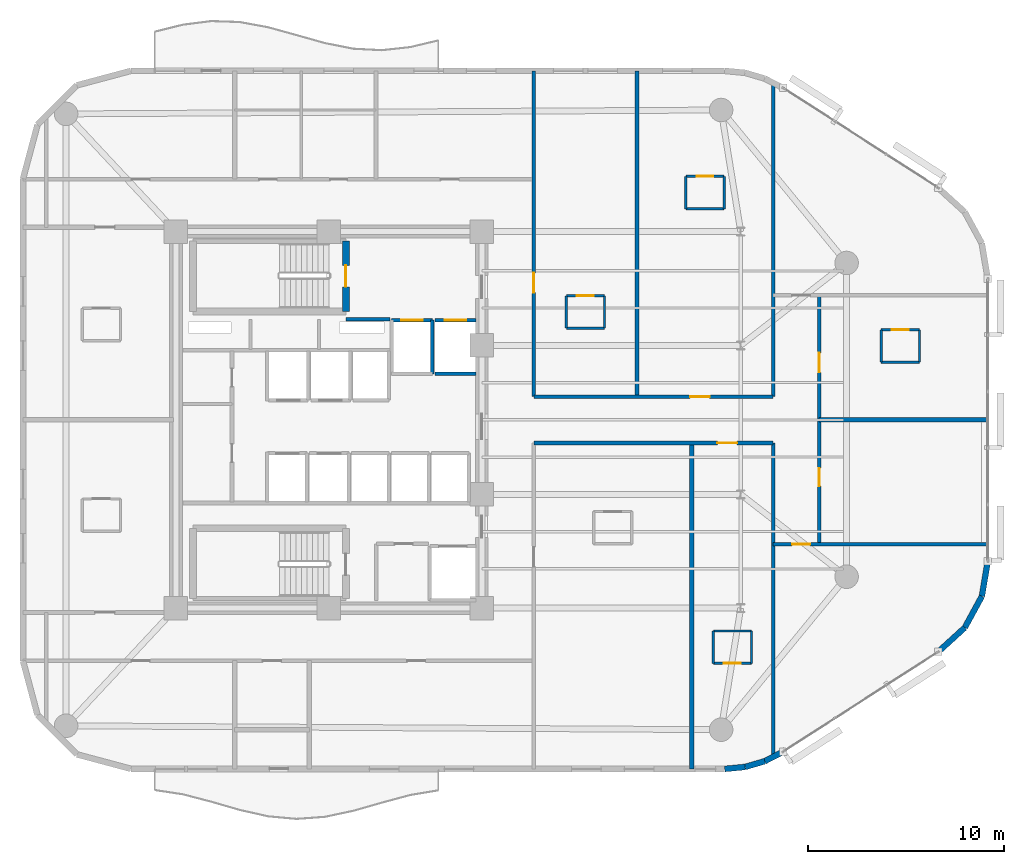
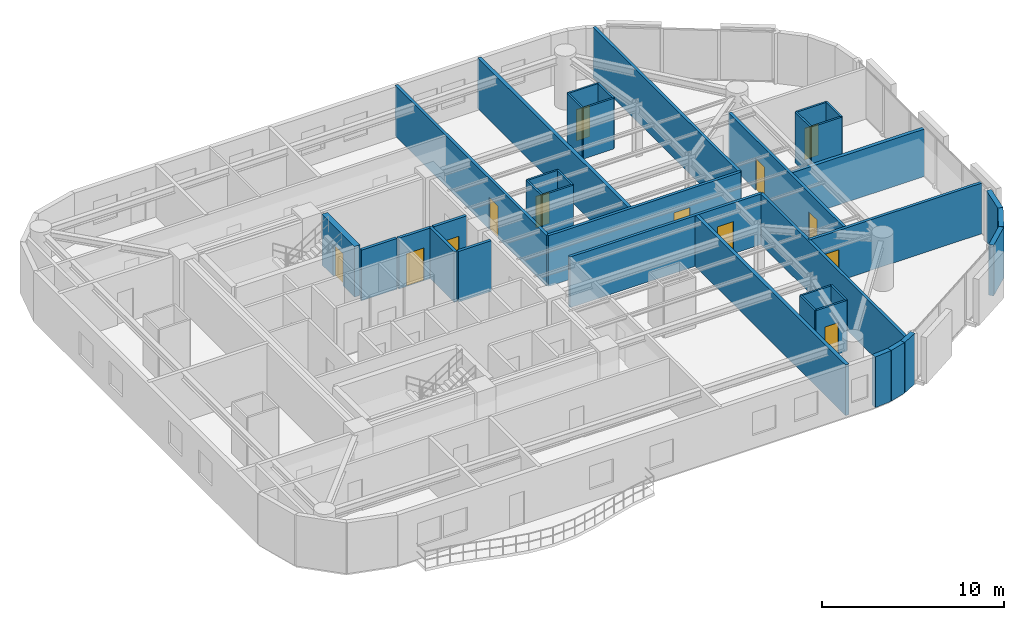
# One storey, part 12 of 15: 38 walls, 13 doors, 13 openings.
"""IFC4 building model written with IfcOpenShell, lengths in metres."""

from ifc_helpers import new_model, si_unit, direction, frame, frame_2d, origin, place, context, subcontext, project, spatial, rectangle, extrude, material, layer, layer_set, type_object, element, fill, save


model = new_model("IFC4")

# Units and contexts
model_context = context("Model", 3, precision=1e-05, world=origin(), true_north=direction((0.0, 1.0)))
body_context = subcontext(model_context, "Body", "Model", "MODEL_VIEW")
ifc_project = project(units=[si_unit("LENGTHUNIT", "METRE"), si_unit("AREAUNIT", "SQUARE_METRE"), si_unit("VOLUMEUNIT", "CUBIC_METRE"), si_unit("PLANEANGLEUNIT", "RADIAN"), si_unit("MASSUNIT", "GRAM", prefix="KILO")], contexts=[model_context])

# Site, building, storey
site_placement = place(None, origin())
site = spatial("IfcSite", under=ifc_project, at=site_placement, CompositionType="ELEMENT")
building_placement = place(site_placement, origin())
building = spatial("IfcBuilding", under=site, at=building_placement, Name="An Khanh Terracotta Commons", CompositionType="ELEMENT")
storey_placement = place(building_placement, frame((0.0, 0.0, 143.800048828125)))
storey = spatial("IfcBuildingStorey", under=building, at=storey_placement, Name="L37", CompositionType="ELEMENT", Elevation=143.800048828125)

# Wall
ifc_material_1 = material(Name="Fire-Rated Gypsum Board on Steel Stud", Category="steel")
ifc_layer_1 = layer(ifc_material_1, 0.179931640625, Name="Fire-Rated Gypsum Board on Steel Stud")
ifc_layer_set_1 = layer_set([ifc_layer_1], Name="Fire-Rated Gypsum Board on Steel Stud")
wall_type_1 = type_object("IfcWallType", Name="WALL-CORR-180", PredefinedType="PARTITIONING", material=ifc_layer_set_1)
wall_1_placement = place(storey_placement, frame((30.27001953125, 29.1201171875, 0.0), z_axis=(0.0, 0.0, 1.0), x_axis=(1.0, 0.0, 0.0)))
element("IfcWall", 1, at=wall_1_placement, inside=storey, type_object=wall_type_1, Name="L37 Core Wall FFLW-L37-S", PredefinedType="PARTITIONING", context=body_context, shape_type="SweptSolid", body=[
    extrude(rectangle(XDim=2.239990234375, YDim=0.179931640625, at=frame_2d((1.1201171875, 0.0))), origin(), (0.0, 0.0, 1.0), 3.39990234375),
])

# Wall, opening, door
wall_2_placement = place(storey_placement, frame((32.60009765625, 29.080078125, 0.0), z_axis=(0.0, 0.0, 1.0), x_axis=(1.0, 0.0, 0.0)))
wall_2 = element("IfcWall", 2, at=wall_2_placement, inside=storey, type_object=wall_type_1, Name="L37 Core Wall LSH-L37-FFL-01-N", PredefinedType="PARTITIONING", context=body_context, shape_type="SweptSolid", body=[
    extrude(rectangle(XDim=2.079833984375, YDim=0.179931640625, at=frame_2d((1.0400390625, 0.0))), origin(), (0.0, 0.0, 1.0), 3.39990234375),
])
opening_1_placement = place(wall_2_placement, frame((0.489990234375, 0.0, 0.0)))
opening_1 = element("IfcOpeningElement", 3, at=opening_1_placement, cuts=wall_2, Name="Opening LD-FFL-01-L37", PredefinedType="OPENING", context=body_context, shape_type="SweptSolid", body=[
    extrude(rectangle(XDim=1.10009765625, YDim=2.199951171875, at=frame_2d((0.550048828125, 1.10009765625))), frame((0.0, 0.099853515625, 0.0), z_axis=(0.0, -1.0, 0.0), x_axis=(1.0, 0.0, 0.0)), (0.0, 0.0, 1.0), 0.199951171875),
])
ifc_material_2 = material(Name="Brushed Stainless Steel Fire Landing Door", Category="steel")
door_type_1 = type_object("IfcDoorType", Name="DOOR-LD-FFL-1100", OperationType="NOTDEFINED", PredefinedType="DOOR", material=ifc_material_2)
door_1_placement = place(opening_1_placement, origin())
door_1 = element("IfcDoor", 4, at=door_1_placement, inside=storey, type_object=door_type_1, Name="L37 Lift FFL-01 Sliding Landing Door", OperationType="DOUBLE_DOOR_SLIDING", OverallHeight=2.199951171875, OverallWidth=1.10009765625, PredefinedType="DOOR", context=body_context, shape_type="SweptSolid", body=[
    extrude(rectangle(XDim=1.10009765625, YDim=2.199951171875, at=frame_2d((0.550048828125, 1.10009765625))), frame((0.0, 0.02490234375, 0.0), z_axis=(0.0, -1.0, 0.0), x_axis=(1.0, 0.0, 0.0)), (0.0, 0.0, 1.0), 0.050048828125),
])
fill(opening_1, door_1)

# Wall
wall_3_placement = place(storey_placement, frame((34.679931640625, 26.35009765625, 0.0), z_axis=(0.0, 0.0, 1.0), x_axis=(0.0, 1.0, 0.0)))
element("IfcWall", 5, at=wall_3_placement, inside=storey, type_object=wall_type_1, Name="L37 Core Wall LSH-L37-FFL-01-E", PredefinedType="PARTITIONING", context=body_context, shape_type="SweptSolid", body=[
    extrude(rectangle(XDim=2.72998046875, YDim=0.179931640625, at=frame_2d((1.364990234375, 0.0))), origin(), (0.0, 0.0, 1.0), 3.39990234375),
])

# Wall, opening, door
wall_4_placement = place(storey_placement, frame((34.820068359375, 29.080078125, 0.0), z_axis=(0.0, 0.0, 1.0), x_axis=(1.0, 0.0, 0.0)))
wall_4 = element("IfcWall", 6, at=wall_4_placement, inside=storey, type_object=wall_type_1, Name="L37 Core Wall LSH-L37-FFL-02-N", PredefinedType="PARTITIONING", context=body_context, shape_type="SweptSolid", body=[
    extrude(rectangle(XDim=2.079833984375, YDim=0.179931640625, at=frame_2d((1.0400390625, 0.0))), origin(), (0.0, 0.0, 1.0), 3.39990234375),
])
opening_2_placement = place(wall_4_placement, frame((0.489990234375, 0.0, 0.0)))
opening_2 = element("IfcOpeningElement", 7, at=opening_2_placement, cuts=wall_4, Name="Opening LD-FFL-02-L37", PredefinedType="OPENING", context=body_context, shape_type="SweptSolid", body=[
    extrude(rectangle(XDim=1.10009765625, YDim=2.199951171875, at=frame_2d((0.550048828125, 1.10009765625))), frame((0.0, 0.099853515625, 0.0), z_axis=(0.0, -1.0, 0.0), x_axis=(1.0, 0.0, 0.0)), (0.0, 0.0, 1.0), 0.199951171875),
])
door_2_placement = place(opening_2_placement, origin())
door_2 = element("IfcDoor", 8, at=door_2_placement, inside=storey, type_object=door_type_1, Name="L37 Lift FFL-02 Sliding Landing Door", OperationType="DOUBLE_DOOR_SLIDING", OverallHeight=2.199951171875, OverallWidth=1.10009765625, PredefinedType="DOOR", context=body_context, shape_type="SweptSolid", body=[
    extrude(rectangle(XDim=1.10009765625, YDim=2.199951171875, at=frame_2d((0.550048828125, 1.10009765625))), frame((0.0, 0.02490234375, 0.0), z_axis=(0.0, -1.0, 0.0), x_axis=(1.0, 0.0, 0.0)), (0.0, 0.0, 1.0), 0.050048828125),
])
fill(opening_2, door_2)

# Wall
wall_5_placement = place(storey_placement, frame((36.89990234375, 26.35009765625, 0.0), z_axis=(0.0, 0.0, 1.0), x_axis=(-1.0, 0.0, 0.0)))
element("IfcWall", 9, at=wall_5_placement, inside=storey, type_object=wall_type_1, Name="L37 Core Wall LSH-L37-FFL-02-S", PredefinedType="PARTITIONING", context=body_context, shape_type="SweptSolid", body=[
    extrude(rectangle(XDim=2.079833984375, YDim=0.179931640625, at=frame_2d((1.0400390625, 0.0))), origin(), (0.0, 0.0, 1.0), 3.39990234375),
])

# Wall, opening, door
wall_6_placement = place(storey_placement, frame((52.050048828125, 17.64990234375, 0.0), z_axis=(0.0, 0.0, 1.0), x_axis=(1.0, 0.0, 0.0)))
wall_6 = element("IfcWall", 10, at=wall_6_placement, inside=storey, type_object=wall_type_1, Name="L37 Interior Partition IW-L37-E004", PredefinedType="PARTITIONING", context=body_context, shape_type="SweptSolid", body=[
    extrude(rectangle(XDim=10.949951171875, YDim=0.179931640625, at=frame_2d((5.47509765625, 0.0))), origin(), (0.0, 0.0, 1.0), 3.39990234375),
])
opening_3_placement = place(wall_6_placement, frame((0.97509765625, 0.0, 0.0)))
opening_3 = element("IfcOpeningElement", 11, at=opening_3_placement, cuts=wall_6, Name="Opening D-RM", PredefinedType="OPENING", context=body_context, shape_type="SweptSolid", body=[
    extrude(rectangle(XDim=0.919921875, YDim=2.10009765625, at=frame_2d((0.4599609375, 1.050048828125))), frame((0.0, 0.099853515625, 0.0), z_axis=(0.0, -1.0, 0.0), x_axis=(1.0, 0.0, 0.0)), (0.0, 0.0, 1.0), 0.199951171875),
])
ifc_material_3 = material(Name="Engineered Hardwood Timber Leaf", Category="wood")
door_type_2 = type_object("IfcDoorType", Name="DOOR-INT-920", OperationType="NOTDEFINED", PredefinedType="DOOR", material=ifc_material_3)
door_3_placement = place(opening_3_placement, origin())
door_3 = element("IfcDoor", 12, at=door_3_placement, inside=storey, type_object=door_type_2, Name="L37 CAPS Quiet Focus Office Door", OperationType="SINGLE_SWING_RIGHT", OverallHeight=2.10009765625, OverallWidth=0.919921875, PredefinedType="DOOR", context=body_context, shape_type="SweptSolid", body=[
    extrude(rectangle(XDim=0.919921875, YDim=2.10009765625, at=frame_2d((0.4599609375, 1.050048828125))), frame((0.0, 0.02490234375, 0.0), z_axis=(0.0, -1.0, 0.0), x_axis=(1.0, 0.0, 0.0)), (0.0, 0.0, 1.0), 0.050048828125),
])
fill(opening_3, door_3)

wall_7_placement = place(storey_placement, frame((39.85009765625, 22.820068359375, 0.0), z_axis=(0.0, 0.0, 1.0), x_axis=(1.0, 0.0, 0.0)))
wall_7 = element("IfcWall", 13, at=wall_7_placement, inside=storey, type_object=wall_type_1, Name="L37 Interior Partition IW-L37-E005", PredefinedType="PARTITIONING", context=body_context, shape_type="SweptSolid", body=[
    extrude(rectangle(XDim=12.199951171875, YDim=0.179931640625, at=frame_2d((6.10009765625, 0.0))), origin(), (0.0, 0.0, 1.0), 3.39990234375),
])
opening_4_placement = place(wall_7_placement, frame((9.365966796875, 0.0, 0.0)))
opening_4 = element("IfcOpeningElement", 14, at=opening_4_placement, cuts=wall_7, Name="Opening D-UN", PredefinedType="OPENING", context=body_context, shape_type="SweptSolid", body=[
    extrude(rectangle(XDim=1.0, YDim=2.14990234375, at=frame_2d((0.5, 1.074951171875))), frame((0.0, 0.099853515625, 0.0), z_axis=(0.0, -1.0, 0.0), x_axis=(1.0, 0.0, 0.0)), (0.0, 0.0, 1.0), 0.199951171875),
])
ifc_material_4 = material(Name="Solid-Core Hardwood Acoustic Fire Door", Category="wood")
door_type_3 = type_object("IfcDoorType", Name="DOOR-UNIT-1000", OperationType="NOTDEFINED", PredefinedType="DOOR", material=ifc_material_4)
door_4_placement = place(opening_4_placement, origin())
door_4 = element("IfcDoor", 15, at=door_4_placement, inside=storey, type_object=door_type_3, Name="L37 SB2 Kitchenette and Studio Apartment Door", OperationType="SINGLE_SWING_RIGHT", OverallHeight=2.14990234375, OverallWidth=1.0, PredefinedType="DOOR", context=body_context, shape_type="SweptSolid", body=[
    extrude(rectangle(XDim=1.0, YDim=2.14990234375, at=frame_2d((0.5, 1.074951171875))), frame((0.0, 0.02490234375, 0.0), z_axis=(0.0, -1.0, 0.0), x_axis=(1.0, 0.0, 0.0)), (0.0, 0.0, 1.0), 0.050048828125),
])
fill(opening_4, door_4)

wall_8_placement = place(storey_placement, frame((39.85009765625, 25.179931640625, 0.0), z_axis=(0.0, 0.0, 1.0), x_axis=(1.0, 0.0, 0.0)))
wall_8 = element("IfcWall", 16, at=wall_8_placement, inside=storey, type_object=wall_type_1, Name="L37 Interior Partition IW-L37-E008", PredefinedType="PARTITIONING", context=body_context, shape_type="SweptSolid", body=[
    extrude(rectangle(XDim=12.199951171875, YDim=0.179931640625, at=frame_2d((6.10009765625, 0.0))), origin(), (0.0, 0.0, 1.0), 3.39990234375),
])
opening_5_placement = place(wall_8_placement, frame((7.969970703125, 0.0, 0.0)))
opening_5 = element("IfcOpeningElement", 17, at=opening_5_placement, cuts=wall_8, Name="Opening D-UN", PredefinedType="OPENING", context=body_context, shape_type="SweptSolid", body=[
    extrude(rectangle(XDim=1.0, YDim=2.14990234375, at=frame_2d((0.5, 1.074951171875))), frame((0.0, 0.099853515625, 0.0), z_axis=(0.0, -1.0, 0.0), x_axis=(1.0, 0.0, 0.0)), (0.0, 0.0, 1.0), 0.199951171875),
])
door_5_placement = place(opening_5_placement, origin())
door_5 = element("IfcDoor", 18, at=door_5_placement, inside=storey, type_object=door_type_3, Name="L37 NB2 Kitchenette and Studio Apartment Door", OperationType="SINGLE_SWING_RIGHT", OverallHeight=2.14990234375, OverallWidth=1.0, PredefinedType="DOOR", context=body_context, shape_type="SweptSolid", body=[
    extrude(rectangle(XDim=1.0, YDim=2.14990234375, at=frame_2d((0.5, 1.074951171875))), frame((0.0, 0.02490234375, 0.0), z_axis=(0.0, -1.0, 0.0), x_axis=(1.0, 0.0, 0.0)), (0.0, 0.0, 1.0), 0.050048828125),
])
fill(opening_5, door_5)

wall_9_placement = place(storey_placement, frame((39.85009765625, 25.179931640625, 0.0), z_axis=(0.0, 0.0, 1.0), x_axis=(0.0, 1.0, 0.0)))
wall_9 = element("IfcWall", 19, at=wall_9_placement, inside=storey, type_object=wall_type_1, Name="L37 Interior Partition IW-L37-E021", PredefinedType="PARTITIONING", context=body_context, shape_type="SweptSolid", body=[
    extrude(rectangle(XDim=16.6201171875, YDim=0.179931640625, at=frame_2d((8.31005859375, 0.0))), origin(), (0.0, 0.0, 1.0), 3.39990234375),
])
opening_6_placement = place(wall_9_placement, frame((5.31005859375, 0.0, 0.0)))
opening_6 = element("IfcOpeningElement", 20, at=opening_6_placement, cuts=wall_9, Name="Opening D-UN", PredefinedType="OPENING", context=body_context, shape_type="SweptSolid", body=[
    extrude(rectangle(XDim=1.0, YDim=2.14990234375, at=frame_2d((0.5, 1.074951171875))), frame((0.0, 0.099853515625, 0.0), z_axis=(0.0, -1.0, 0.0), x_axis=(1.0, 0.0, 0.0)), (0.0, 0.0, 1.0), 0.199951171875),
])
door_6_placement = place(opening_6_placement, origin())
door_6 = element("IfcDoor", 21, at=door_6_placement, inside=storey, type_object=door_type_3, Name="L37 NB1 Kitchenette and Studio Apartment Door", OperationType="SINGLE_SWING_LEFT", OverallHeight=2.14990234375, OverallWidth=1.0, PredefinedType="DOOR", context=body_context, shape_type="SweptSolid", body=[
    extrude(rectangle(XDim=1.0, YDim=2.14990234375, at=frame_2d((0.5, 1.074951171875))), frame((0.0, 0.02490234375, 0.0), z_axis=(0.0, -1.0, 0.0), x_axis=(1.0, 0.0, 0.0)), (0.0, 0.0, 1.0), 0.050048828125),
])
fill(opening_6, door_6)

# Walls
for number, where, z_axis, x_axis, name in (
    (22, (52.050048828125, 6.81201171875, 0.0), (0.0, 0.0, 1.0), (0.0, 1.0, 0.0), "L37 Interior Partition IW-L37-E024"),
    (23, (52.050048828125, 25.179931640625, 0.0), (0.0, 0.0, 1.0), (0.0, 1.0, 0.0), "L37 Interior Partition IW-L37-E025"),
):
    element("IfcWall", number, at=place(storey_placement, frame(where, z_axis=z_axis, x_axis=x_axis)), inside=storey, type_object=wall_type_1, Name=name, PredefinedType="PARTITIONING", context=body_context, shape_type="SweptSolid", body=[
        extrude(rectangle(XDim=16.008056640625, YDim=0.179931640625, at=frame_2d((8.00390625, 0.0))), origin(), (0.0, 0.0, 1.0), 3.39990234375),
    ])

# Wall, openings, doors
wall_10_placement = place(storey_placement, frame((54.39990234375, 17.64990234375, 0.0), z_axis=(0.0, 0.0, 1.0), x_axis=(0.0, 1.0, 0.0)))
wall_10 = element("IfcWall", 24, at=wall_10_placement, inside=storey, type_object=wall_type_1, Name="L37 Interior Partition IW-L37-E026", PredefinedType="PARTITIONING", context=body_context, shape_type="SweptSolid", body=[
    extrude(rectangle(XDim=12.7001953125, YDim=0.179931640625, at=frame_2d((6.35009765625, 0.0))), origin(), (0.0, 0.0, 1.0), 3.39990234375),
])
opening_7_placement = place(wall_10_placement, frame((8.764892578125, 0.0, 0.0)))
opening_7 = element("IfcOpeningElement", 25, at=opening_7_placement, cuts=wall_10, Name="Opening D-UN", PredefinedType="OPENING", context=body_context, shape_type="SweptSolid", body=[
    extrude(rectangle(XDim=1.0, YDim=2.14990234375, at=frame_2d((0.5, 1.074951171875))), frame((0.0, 0.099853515625, 0.0), z_axis=(0.0, -1.0, 0.0), x_axis=(1.0, 0.0, 0.0)), (0.0, 0.0, 1.0), 0.199951171875),
])
opening_8_placement = place(wall_10_placement, frame((2.97509765625, 0.0, 0.0)))
opening_8 = element("IfcOpeningElement", 26, at=opening_8_placement, cuts=wall_10, Name="Opening D-RM", PredefinedType="OPENING", context=body_context, shape_type="SweptSolid", body=[
    extrude(rectangle(XDim=0.919921875, YDim=2.10009765625, at=frame_2d((0.4599609375, 1.050048828125))), frame((0.0, 0.099853515625, 0.0), z_axis=(0.0, -1.0, 0.0), x_axis=(1.0, 0.0, 0.0)), (0.0, 0.0, 1.0), 0.199951171875),
])
door_7_placement = place(opening_8_placement, origin())
door_7 = element("IfcDoor", 27, at=door_7_placement, inside=storey, type_object=door_type_2, Name="L37 EF2 Riverfront Study Lounge Door", OperationType="SINGLE_SWING_RIGHT", OverallHeight=2.10009765625, OverallWidth=0.919921875, PredefinedType="DOOR", context=body_context, shape_type="SweptSolid", body=[
    extrude(rectangle(XDim=0.919921875, YDim=2.10009765625, at=frame_2d((0.4599609375, 1.050048828125))), frame((0.0, 0.02490234375, 0.0), z_axis=(0.0, -1.0, 0.0), x_axis=(1.0, 0.0, 0.0)), (0.0, 0.0, 1.0), 0.050048828125),
])
fill(opening_8, door_7)
door_8_placement = place(opening_7_placement, origin())
door_8 = element("IfcDoor", 28, at=door_8_placement, inside=storey, type_object=door_type_3, Name="L37 EF1 Kitchenette and Studio Apartment Door", OperationType="SINGLE_SWING_LEFT", OverallHeight=2.14990234375, OverallWidth=1.0, PredefinedType="DOOR", context=body_context, shape_type="SweptSolid", body=[
    extrude(rectangle(XDim=1.0, YDim=2.14990234375, at=frame_2d((0.5, 1.074951171875))), frame((0.0, 0.02490234375, 0.0), z_axis=(0.0, -1.0, 0.0), x_axis=(1.0, 0.0, 0.0)), (0.0, 0.0, 1.0), 0.050048828125),
])
fill(opening_7, door_8)

# Walls
ifc_material_5 = material(Name="Precast concrete C40/50", Category="concrete")
ifc_layer_2 = layer(ifc_material_5, 0.300048828125, Name="Precast concrete C40/50")
ifc_layer_set_2 = layer_set([ifc_layer_2], Name="Precast concrete C40/50")
wall_type_2 = type_object("IfcWallType", Name="WALL-EXT-300", PredefinedType="SOLIDWALL", material=ifc_layer_set_2)
wall_11_placement = place(storey_placement, frame((49.58203125, 6.199951171875, 0.0), z_axis=(0.0, 0.0, 1.0), x_axis=(0.995426089968, 0.095534807324, 0.0)))
element("IfcWall", 29, at=wall_11_placement, inside=storey, type_object=wall_type_2, Name="L37 Insulated Terracotta Exterior Wall 5", PredefinedType="SOLIDWALL", context=body_context, shape_type="SweptSolid", body=[
    extrude(rectangle(XDim=1.0478515625, YDim=0.300048828125, at=frame_2d((0.52392578125, 0.0))), origin(), (0.0, 0.0, 1.0), 3.39990234375),
])
wall_12_placement = place(storey_placement, frame((50.625, 6.300048828125, 0.0), z_axis=(0.0, 0.0, 1.0), x_axis=(0.959528674476, 0.281610942363, 0.0)))
element("IfcWall", 30, at=wall_12_placement, inside=storey, type_object=wall_type_2, Name="L37 Insulated Terracotta Exterior Wall 6", PredefinedType="SOLIDWALL", context=body_context, shape_type="SweptSolid", body=[
    extrude(rectangle(XDim=1.04736328125, YDim=0.300048828125, at=frame_2d((0.523681640625, 0.0))), origin(), (0.0, 0.0, 1.0), 3.39990234375),
])
wall_13_placement = place(storey_placement, frame((51.6298828125, 6.594970703125, 0.0), z_axis=(0.0, 0.0, 1.0), x_axis=(0.888283247196, 0.459296062198, 0.0)))
element("IfcWall", 31, at=wall_13_placement, inside=storey, type_object=wall_type_2, Name="L37 Insulated Terracotta Exterior Wall 7", PredefinedType="SOLIDWALL", context=body_context, shape_type="SweptSolid", body=[
    extrude(rectangle(XDim=1.047119140625, YDim=0.300048828125, at=frame_2d((0.5234375, 0.0))), origin(), (0.0, 0.0, 1.0), 3.39990234375),
])
wall_14_placement = place(storey_placement, frame((60.47802734375, 12.176025390625, 0.0), z_axis=(0.0, 0.0, 1.0), x_axis=(0.73947929393, 0.673179302897, 0.0)))
element("IfcWall", 32, at=wall_14_placement, inside=storey, type_object=wall_type_2, Name="L37 Insulated Terracotta Exterior Wall 9", PredefinedType="SOLIDWALL", context=body_context, shape_type="SweptSolid", body=[
    extrude(rectangle(XDim=1.82275390625, YDim=0.300048828125, at=frame_2d((0.911376953125, 0.0))), origin(), (0.0, 0.0, 1.0), 3.39990234375),
])
wall_15_placement = place(storey_placement, frame((61.825927734375, 13.403076171875, 0.0), z_axis=(0.0, 0.0, 1.0), x_axis=(0.478608030646, 0.878028674362, 0.0)))
element("IfcWall", 33, at=wall_15_placement, inside=storey, type_object=wall_type_2, Name="L37 Insulated Terracotta Exterior Wall 10", PredefinedType="SOLIDWALL", context=body_context, shape_type="SweptSolid", body=[
    extrude(rectangle(XDim=1.822021484375, YDim=0.300048828125, at=frame_2d((0.9111328125, 0.0))), origin(), (0.0, 0.0, 1.0), 3.39990234375),
])
wall_16_placement = place(storey_placement, frame((62.697998046875, 15.0029296875, 0.0), z_axis=(0.0, 0.0, 1.0), x_axis=(0.165724081207, 0.986172159873, 0.0)))
element("IfcWall", 34, at=wall_16_placement, inside=storey, type_object=wall_type_2, Name="L37 Insulated Terracotta Exterior Wall 11", PredefinedType="SOLIDWALL", context=body_context, shape_type="SweptSolid", body=[
    extrude(rectangle(XDim=1.822265625, YDim=0.300048828125, at=frame_2d((0.9111328125, 0.0))), origin(), (0.0, 0.0, 1.0), 3.39990234375),
])
ifc_material_6 = material(Name="Acoustic Double-Stud Gypsum and Mineral Wool")
ifc_layer_3 = layer(ifc_material_6, 0.219970703125, Name="Acoustic Double-Stud Gypsum and Mineral Wool")
ifc_layer_set_3 = layer_set([ifc_layer_3], Name="Acoustic Double-Stud Gypsum and Mineral Wool")
wall_type_3 = type_object("IfcWallType", Name="WALL-PARTY-220", PredefinedType="PARTITIONING", material=ifc_layer_set_3)
wall_17_placement = place(storey_placement, frame((54.39990234375, 24.0, 0.0), z_axis=(0.0, 0.0, 1.0), x_axis=(1.0, 0.0, 0.0)))
element("IfcWall", 35, at=wall_17_placement, inside=storey, type_object=wall_type_3, Name="L37 Interior Partition IW-L37-E007", PredefinedType="PARTITIONING", context=body_context, shape_type="SweptSolid", body=[
    extrude(rectangle(XDim=8.60009765625, YDim=0.219970703125, at=frame_2d((4.300048828125, 0.0))), origin(), (0.0, 0.0, 1.0), 3.181884765625),
])
for number, where, z_axis, x_axis, name in (
    (36, (45.10888671875, 25.179931640625, 0.0), (0.0, 0.0, 1.0), (0.0, 1.0, 0.0), "L37 Interior Partition IW-L37-E022"),
    (37, (47.902099609375, 6.199951171875, 0.0), (0.0, 0.0, 1.0), (0.0, 1.0, 0.0), "L37 Interior Partition IW-L37-E023"),
):
    element("IfcWall", number, at=place(storey_placement, frame(where, z_axis=z_axis, x_axis=x_axis)), inside=storey, type_object=wall_type_3, Name=name, PredefinedType="PARTITIONING", context=body_context, shape_type="SweptSolid", body=[
        extrude(rectangle(XDim=16.6201171875, YDim=0.219970703125, at=frame_2d((8.31005859375, 0.0))), origin(), (0.0, 0.0, 1.0), 3.39990234375),
    ])

# Wall, opening, door
ifc_material_7 = material(Name="Concrete C50/60", Category="concrete")
ifc_layer_4 = layer(ifc_material_7, 0.35009765625, Name="Concrete C50/60")
ifc_layer_set_4 = layer_set([ifc_layer_4], Name="Concrete C50/60")
wall_type_4 = type_object("IfcWallType", Name="WALL-SHAFT-350", PredefinedType="SOLIDWALL", material=ifc_layer_set_4)
wall_18_placement = place(storey_placement, frame((30.27001953125, 29.530029296875, 0.0), z_axis=(0.0, 0.0, 1.0), x_axis=(0.0, 1.0, 0.0)))
wall_18 = element("IfcWall", 38, at=wall_18_placement, inside=storey, type_object=wall_type_4, Name="L37 Core Wall STW-L37-N-E", PredefinedType="SOLIDWALL", context=body_context, shape_type="SweptSolid", body=[
    extrude(rectangle(XDim=3.580078125, YDim=0.35009765625, at=frame_2d((1.7900390625, 0.0))), origin(), (0.0, 0.0, 1.0), 3.39990234375),
])
opening_9_placement = place(wall_18_placement, frame((1.25, 0.0, 0.0)))
opening_9 = element("IfcOpeningElement", 39, at=opening_9_placement, cuts=wall_18, Name="Opening D-ST", PredefinedType="OPENING", context=body_context, shape_type="SweptSolid", body=[
    extrude(rectangle(XDim=1.10009765625, YDim=2.14990234375, at=frame_2d((0.550048828125, 1.074951171875))), frame((0.0, 0.18505859375, 0.0), z_axis=(0.0, -1.0, 0.0), x_axis=(1.0, 0.0, 0.0)), (0.0, 0.0, 1.0), 0.3701171875),
])
ifc_material_8 = material(Name="Fire-Rated Steel Leaf and Frame", Category="steel")
door_type_4 = type_object("IfcDoorType", Name="DOOR-STAIR-1100", OperationType="NOTDEFINED", PredefinedType="DOOR", material=ifc_material_8)
door_9_placement = place(opening_9_placement, origin())
door_9 = element("IfcDoor", 40, at=door_9_placement, inside=storey, type_object=door_type_4, Name="L37 Stair ST-01 Fire Door", OperationType="SINGLE_SWING_RIGHT", OverallHeight=2.14990234375, OverallWidth=1.10009765625, PredefinedType="DOOR", context=body_context, shape_type="SweptSolid", body=[
    extrude(rectangle(XDim=1.10009765625, YDim=2.14990234375, at=frame_2d((0.550048828125, 1.074951171875))), frame((0.0, 0.02490234375, 0.0), z_axis=(0.0, -1.0, 0.0), x_axis=(1.0, 0.0, 0.0)), (0.0, 0.0, 1.0), 0.050048828125),
])
fill(opening_9, door_9)

ifc_material_9 = material(Name="Moisture-Resistant Cement Board Partition")
ifc_layer_5 = layer(ifc_material_9, 0.1201171875, Name="Moisture-Resistant Cement Board Partition")
ifc_layer_set_5 = layer_set([ifc_layer_5], Name="Moisture-Resistant Cement Board Partition")
wall_type_5 = type_object("IfcWallType", Name="WALL-WET-120", PredefinedType="PARTITIONING", material=ifc_layer_set_5)
wall_19_placement = place(storey_placement, frame((41.5048828125, 30.324951171875, 0.0), z_axis=(0.0, 0.0, 1.0), x_axis=(1.0, 0.0, 0.0)))
wall_19 = element("IfcWall", 41, at=wall_19_placement, inside=storey, type_object=wall_type_5, Name="L37 Interior Partition IW-L37-NB1-BN", PredefinedType="PARTITIONING", context=body_context, shape_type="SweptSolid", body=[
    extrude(rectangle(XDim=1.9501953125, YDim=0.1201171875, at=frame_2d((0.97509765625, 0.0))), origin(), (0.0, 0.0, 1.0), 3.39990234375),
])
opening_10_placement = place(wall_19_placement, frame((0.544921875, 0.0, 0.0)))
opening_10 = element("IfcOpeningElement", 42, at=opening_10_placement, cuts=wall_19, Name="Opening D-ENS", PredefinedType="OPENING", context=body_context, shape_type="SweptSolid", body=[
    extrude(rectangle(XDim=0.860107421875, YDim=2.10009765625, at=frame_2d((0.43017578125, 1.050048828125))), frame((0.0, 0.070068359375, 0.0), z_axis=(0.0, -1.0, 0.0), x_axis=(1.0, 0.0, 0.0)), (0.0, 0.0, 1.0), 0.14013671875),
])
ifc_material_10 = material(Name="Moisture-Resistant Hardwood Timber Leaf", Category="wood")
door_type_5 = type_object("IfcDoorType", Name="DOOR-BATH-860", OperationType="NOTDEFINED", PredefinedType="DOOR", material=ifc_material_10)
door_10_placement = place(opening_10_placement, origin())
door_10 = element("IfcDoor", 43, at=door_10_placement, inside=storey, type_object=door_type_5, Name="L37 Studio NB1 En-suite Door", OperationType="SINGLE_SWING_LEFT", OverallHeight=2.10009765625, OverallWidth=0.860107421875, PredefinedType="DOOR", context=body_context, shape_type="SweptSolid", body=[
    extrude(rectangle(XDim=0.860107421875, YDim=2.10009765625, at=frame_2d((0.43017578125, 1.050048828125))), frame((0.0, 0.02490234375, 0.0), z_axis=(0.0, -1.0, 0.0), x_axis=(1.0, 0.0, 0.0)), (0.0, 0.0, 1.0), 0.050048828125),
])
fill(opening_10, door_10)

# Walls
wall_20_placement = place(storey_placement, frame((43.455078125, 28.675048828125, 0.0), z_axis=(0.0, 0.0, 1.0), x_axis=(-1.0, 0.0, 0.0)))
element("IfcWall", 44, at=wall_20_placement, inside=storey, type_object=wall_type_5, Name="L37 Interior Partition IW-L37-NB1-BS", PredefinedType="PARTITIONING", context=body_context, shape_type="SweptSolid", body=[
    extrude(rectangle(XDim=1.9501953125, YDim=0.1201171875, at=frame_2d((0.97509765625, 0.0))), origin(), (0.0, 0.0, 1.0), 3.39990234375),
])
for number, where, z_axis, x_axis, name in (
    (45, (41.5048828125, 30.324951171875, 0.0), (0.0, 0.0, 1.0), (0.0, -1.0, 0.0), "L37 Interior Partition IW-L37-NB1-BW"),
    (46, (43.455078125, 28.675048828125, 0.0), (0.0, 0.0, 1.0), (0.0, 1.0, 0.0), "L37 Interior Partition IW-L37-NB1-BE"),
):
    element("IfcWall", number, at=place(storey_placement, frame(where, z_axis=z_axis, x_axis=x_axis)), inside=storey, type_object=wall_type_5, Name=name, PredefinedType="PARTITIONING", context=body_context, shape_type="SweptSolid", body=[
        extrude(rectangle(XDim=1.64990234375, YDim=0.1201171875, at=frame_2d((0.824951171875, 0.0))), origin(), (0.0, 0.0, 1.0), 3.39990234375),
    ])

# Wall, opening, door
wall_21_placement = place(storey_placement, frame((47.60400390625, 36.4140625, 0.0), z_axis=(0.0, 0.0, 1.0), x_axis=(1.0, 0.0, 0.0)))
wall_21 = element("IfcWall", 47, at=wall_21_placement, inside=storey, type_object=wall_type_5, Name="L37 Interior Partition IW-L37-NB2-BN", PredefinedType="PARTITIONING", context=body_context, shape_type="SweptSolid", body=[
    extrude(rectangle(XDim=1.949951171875, YDim=0.1201171875, at=frame_2d((0.97509765625, 0.0))), origin(), (0.0, 0.0, 1.0), 3.39990234375),
])
opening_11_placement = place(wall_21_placement, frame((0.544921875, 0.0, 0.0)))
opening_11 = element("IfcOpeningElement", 48, at=opening_11_placement, cuts=wall_21, Name="Opening D-ENS", PredefinedType="OPENING", context=body_context, shape_type="SweptSolid", body=[
    extrude(rectangle(XDim=0.860107421875, YDim=2.10009765625, at=frame_2d((0.43017578125, 1.050048828125))), frame((0.0, 0.070068359375, 0.0), z_axis=(0.0, -1.0, 0.0), x_axis=(1.0, 0.0, 0.0)), (0.0, 0.0, 1.0), 0.14013671875),
])
door_11_placement = place(opening_11_placement, origin())
door_11 = element("IfcDoor", 49, at=door_11_placement, inside=storey, type_object=door_type_5, Name="L37 Studio NB2 En-suite Door", OperationType="SINGLE_SWING_RIGHT", OverallHeight=2.10009765625, OverallWidth=0.860107421875, PredefinedType="DOOR", context=body_context, shape_type="SweptSolid", body=[
    extrude(rectangle(XDim=0.860107421875, YDim=2.10009765625, at=frame_2d((0.43017578125, 1.050048828125))), frame((0.0, 0.02490234375, 0.0), z_axis=(0.0, -1.0, 0.0), x_axis=(1.0, 0.0, 0.0)), (0.0, 0.0, 1.0), 0.050048828125),
])
fill(opening_11, door_11)

# Walls
wall_22_placement = place(storey_placement, frame((49.553955078125, 34.763916015625, 0.0), z_axis=(0.0, 0.0, 1.0), x_axis=(-1.0, 0.0, 0.0)))
element("IfcWall", 50, at=wall_22_placement, inside=storey, type_object=wall_type_5, Name="L37 Interior Partition IW-L37-NB2-BS", PredefinedType="PARTITIONING", context=body_context, shape_type="SweptSolid", body=[
    extrude(rectangle(XDim=1.949951171875, YDim=0.1201171875, at=frame_2d((0.97509765625, 0.0))), origin(), (0.0, 0.0, 1.0), 3.39990234375),
])
for number, where, z_axis, x_axis, name in (
    (51, (47.60400390625, 36.4140625, 0.0), (0.0, 0.0, 1.0), (0.0, -1.0, 0.0), "L37 Interior Partition IW-L37-NB2-BW"),
    (52, (49.553955078125, 34.763916015625, 0.0), (0.0, 0.0, 1.0), (0.0, 1.0, 0.0), "L37 Interior Partition IW-L37-NB2-BE"),
):
    element("IfcWall", number, at=place(storey_placement, frame(where, z_axis=z_axis, x_axis=x_axis)), inside=storey, type_object=wall_type_5, Name=name, PredefinedType="PARTITIONING", context=body_context, shape_type="SweptSolid", body=[
        extrude(rectangle(XDim=1.650146484375, YDim=0.1201171875, at=frame_2d((0.8251953125, 0.0))), origin(), (0.0, 0.0, 1.0), 3.39990234375),
    ])
wall_23_placement = place(storey_placement, frame((49.0009765625, 13.236083984375, 0.0), z_axis=(0.0, 0.0, 1.0), x_axis=(1.0, 0.0, 0.0)))
element("IfcWall", 53, at=wall_23_placement, inside=storey, type_object=wall_type_5, Name="L37 Interior Partition IW-L37-SB2-BN", PredefinedType="PARTITIONING", context=body_context, shape_type="SweptSolid", body=[
    extrude(rectangle(XDim=1.949951171875, YDim=0.1201171875, at=frame_2d((0.97509765625, 0.0))), origin(), (0.0, 0.0, 1.0), 3.39990234375),
])

# Wall, opening, door
wall_24_placement = place(storey_placement, frame((50.950927734375, 11.5859375, 0.0), z_axis=(0.0, 0.0, 1.0), x_axis=(-1.0, 0.0, 0.0)))
wall_24 = element("IfcWall", 54, at=wall_24_placement, inside=storey, type_object=wall_type_5, Name="L37 Interior Partition IW-L37-SB2-BS", PredefinedType="PARTITIONING", context=body_context, shape_type="SweptSolid", body=[
    extrude(rectangle(XDim=1.949951171875, YDim=0.1201171875, at=frame_2d((0.97509765625, 0.0))), origin(), (0.0, 0.0, 1.0), 3.39990234375),
])
opening_12_placement = place(wall_24_placement, frame((0.544921875, 0.0, 0.0)))
opening_12 = element("IfcOpeningElement", 55, at=opening_12_placement, cuts=wall_24, Name="Opening D-ENS", PredefinedType="OPENING", context=body_context, shape_type="SweptSolid", body=[
    extrude(rectangle(XDim=0.860107421875, YDim=2.10009765625, at=frame_2d((0.43017578125, 1.050048828125))), frame((0.0, 0.070068359375, 0.0), z_axis=(0.0, -1.0, 0.0), x_axis=(1.0, 0.0, 0.0)), (0.0, 0.0, 1.0), 0.14013671875),
])
door_12_placement = place(opening_12_placement, origin())
door_12 = element("IfcDoor", 56, at=door_12_placement, inside=storey, type_object=door_type_5, Name="L37 Studio SB2 En-suite Door", OperationType="SINGLE_SWING_RIGHT", OverallHeight=2.10009765625, OverallWidth=0.860107421875, PredefinedType="DOOR", context=body_context, shape_type="SweptSolid", body=[
    extrude(rectangle(XDim=0.860107421875, YDim=2.10009765625, at=frame_2d((0.43017578125, 1.050048828125))), frame((0.0, 0.02490234375, 0.0), z_axis=(0.0, -1.0, 0.0), x_axis=(1.0, 0.0, 0.0)), (0.0, 0.0, 1.0), 0.050048828125),
])
fill(opening_12, door_12)

# Walls
for number, where, z_axis, x_axis, name in (
    (57, (49.0009765625, 13.236083984375, 0.0), (0.0, 0.0, 1.0), (0.0, -1.0, 0.0), "L37 Interior Partition IW-L37-SB2-BW"),
    (58, (50.950927734375, 11.5859375, 0.0), (0.0, 0.0, 1.0), (0.0, 1.0, 0.0), "L37 Interior Partition IW-L37-SB2-BE"),
):
    element("IfcWall", number, at=place(storey_placement, frame(where, z_axis=z_axis, x_axis=x_axis)), inside=storey, type_object=wall_type_5, Name=name, PredefinedType="PARTITIONING", context=body_context, shape_type="SweptSolid", body=[
        extrude(rectangle(XDim=1.650146484375, YDim=0.1201171875, at=frame_2d((0.8251953125, 0.0))), origin(), (0.0, 0.0, 1.0), 3.39990234375),
    ])

# Wall, opening, door
wall_25_placement = place(storey_placement, frame((57.56494140625, 28.590087890625, 0.0), z_axis=(0.0, 0.0, 1.0), x_axis=(1.0, 0.0, 0.0)))
wall_25 = element("IfcWall", 59, at=wall_25_placement, inside=storey, type_object=wall_type_5, Name="L37 Interior Partition IW-L37-EF1-BN", PredefinedType="PARTITIONING", context=body_context, shape_type="SweptSolid", body=[
    extrude(rectangle(XDim=1.949951171875, YDim=0.1201171875, at=frame_2d((0.97509765625, 0.0))), origin(), (0.0, 0.0, 1.0), 3.39990234375),
])
opening_13_placement = place(wall_25_placement, frame((0.544921875, 0.0, 0.0)))
opening_13 = element("IfcOpeningElement", 60, at=opening_13_placement, cuts=wall_25, Name="Opening D-ENS", PredefinedType="OPENING", context=body_context, shape_type="SweptSolid", body=[
    extrude(rectangle(XDim=0.860107421875, YDim=2.10009765625, at=frame_2d((0.43017578125, 1.050048828125))), frame((0.0, 0.070068359375, 0.0), z_axis=(0.0, -1.0, 0.0), x_axis=(1.0, 0.0, 0.0)), (0.0, 0.0, 1.0), 0.14013671875),
])
door_13_placement = place(opening_13_placement, origin())
door_13 = element("IfcDoor", 61, at=door_13_placement, inside=storey, type_object=door_type_5, Name="L37 Studio EF1 En-suite Door", OperationType="SINGLE_SWING_LEFT", OverallHeight=2.10009765625, OverallWidth=0.860107421875, PredefinedType="DOOR", context=body_context, shape_type="SweptSolid", body=[
    extrude(rectangle(XDim=0.860107421875, YDim=2.10009765625, at=frame_2d((0.43017578125, 1.050048828125))), frame((0.0, 0.02490234375, 0.0), z_axis=(0.0, -1.0, 0.0), x_axis=(1.0, 0.0, 0.0)), (0.0, 0.0, 1.0), 0.050048828125),
])
fill(opening_13, door_13)

# Walls
wall_26_placement = place(storey_placement, frame((59.514892578125, 26.93994140625, 0.0), z_axis=(0.0, 0.0, 1.0), x_axis=(-1.0, 0.0, 0.0)))
element("IfcWall", 62, at=wall_26_placement, inside=storey, type_object=wall_type_5, Name="L37 Interior Partition IW-L37-EF1-BS", PredefinedType="PARTITIONING", context=body_context, shape_type="SweptSolid", body=[
    extrude(rectangle(XDim=1.949951171875, YDim=0.1201171875, at=frame_2d((0.97509765625, 0.0))), origin(), (0.0, 0.0, 1.0), 3.39990234375),
])
for number, where, z_axis, x_axis, name in (
    (63, (57.56494140625, 28.590087890625, 0.0), (0.0, 0.0, 1.0), (0.0, -1.0, 0.0), "L37 Interior Partition IW-L37-EF1-BW"),
    (64, (59.514892578125, 26.93994140625, 0.0), (0.0, 0.0, 1.0), (0.0, 1.0, 0.0), "L37 Interior Partition IW-L37-EF1-BE"),
):
    element("IfcWall", number, at=place(storey_placement, frame(where, z_axis=z_axis, x_axis=x_axis)), inside=storey, type_object=wall_type_5, Name=name, PredefinedType="PARTITIONING", context=body_context, shape_type="SweptSolid", body=[
        extrude(rectangle(XDim=1.650146484375, YDim=0.1201171875, at=frame_2d((0.8251953125, 0.0))), origin(), (0.0, 0.0, 1.0), 3.39990234375),
    ])

save(model, "model.ifc")
